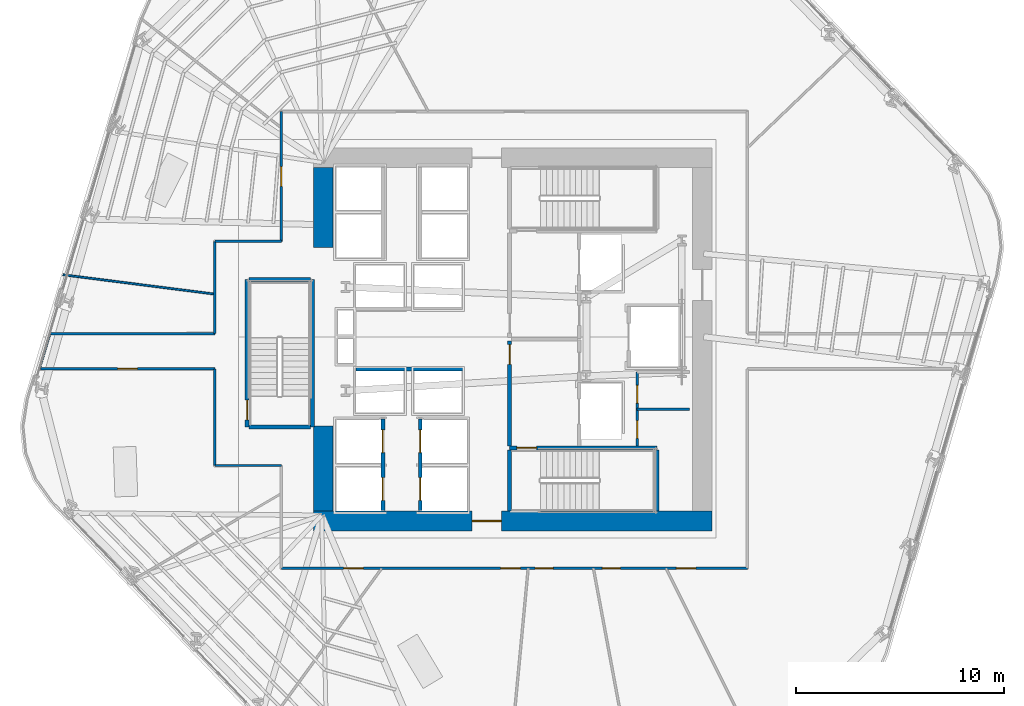
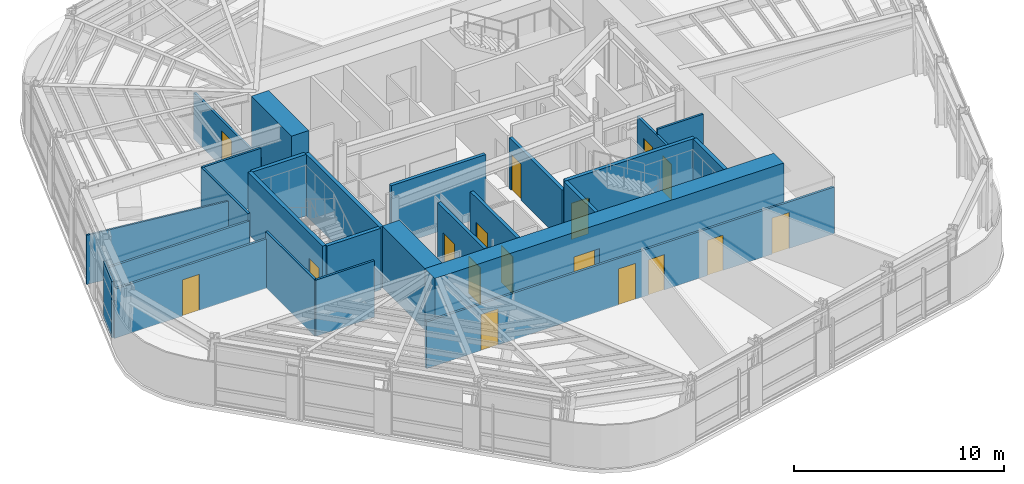
# One storey, part 9 of 17: 26 walls, 17 doors, 17 openings.
"""IFC4 building model written with IfcOpenShell, lengths in metres."""

from ifc_helpers import new_model, si_unit, direction, frame, frame_2d, origin, place, context, subcontext, project, spatial, rectangle, extrude, material, layer, layer_set, type_object, element, fill, save


model = new_model("IFC4")

# Units and contexts
model_context = context("Model", 3, precision=1e-05, world=origin(), true_north=direction((0.0, 1.0)))
body_context = subcontext(model_context, "Body", "Model", "MODEL_VIEW")
ifc_project = project(units=[si_unit("LENGTHUNIT", "METRE"), si_unit("AREAUNIT", "SQUARE_METRE"), si_unit("VOLUMEUNIT", "CUBIC_METRE"), si_unit("PLANEANGLEUNIT", "RADIAN"), si_unit("MASSUNIT", "GRAM", prefix="KILO")], contexts=[model_context])

# Site, building, storey
site_placement = place(None, origin())
site = spatial("IfcSite", under=ifc_project, at=site_placement, CompositionType="ELEMENT")
building_placement = place(site_placement, origin())
building = spatial("IfcBuilding", under=site, at=building_placement, Name="Valkerne Bourse Tower", CompositionType="ELEMENT")
storey_placement = place(building_placement, frame((0.0, 0.0, 82.0)))
storey = spatial("IfcBuildingStorey", under=building, at=storey_placement, Name="L20", CompositionType="ELEMENT", Elevation=82.0)

# Wall, opening, door
ifc_material_1 = material(Name="Concrete C70/85", Category="concrete")
ifc_layer_1 = layer(ifc_material_1, 0.949951171875)
ifc_layer_set_1 = layer_set([ifc_layer_1], Name="Concrete C70/85")
wall_type_1 = type_object("IfcWallType", Name="W-CORE-950", PredefinedType="SHEAR", material=ifc_layer_set_1)
wall_1_placement = place(storey_placement, frame((37.199951171875, 18.125, 0.0), z_axis=(0.0, 0.0, 1.0), x_axis=(1.0, 0.0, 0.0)))
wall_1 = element("IfcWall", 1, at=wall_1_placement, inside=storey, type_object=wall_type_1, Name="L20 Core Shear Wall SOUTH", PredefinedType="SHEAR", context=body_context, shape_type="SweptSolid", body=[
    extrude(rectangle(XDim=19.199951171875, YDim=0.949951171875, at=frame_2d((9.60009765625, 0.0))), origin(), (0.0, 0.0, 1.0), 3.580078125),
])
opening_1_placement = place(wall_1_placement, frame((7.64990234375, 0.0, 0.0)))
opening_1 = element("IfcOpeningElement", 2, at=opening_1_placement, cuts=wall_1, Name="Opening D-PL-1400", PredefinedType="OPENING", context=body_context, shape_type="SweptSolid", body=[
    extrude(rectangle(XDim=1.39990234375, YDim=2.14990234375, at=frame_2d((0.699951171875, 1.074951171875))), frame((0.0, 0.48486328125, 0.0), z_axis=(0.0, -1.0, 0.0), x_axis=(1.0, 0.0, 0.0)), (0.0, 0.0, 1.0), 0.969970703125),
])
ifc_material_2 = material(Name="Galvanised Painted Steel", Category="steel")
door_type_1 = type_object("IfcDoorType", Name="DR-PLT-1400", OperationType="DOUBLE_DOOR_SINGLE_SWING", PredefinedType="DOOR", material=ifc_material_2)
door_1_placement = place(opening_1_placement, origin())
door_1 = element("IfcDoor", 3, at=door_1_placement, inside=storey, type_object=door_type_1, Name="L20 South Passenger Lift Hall Fire Door", OperationType="DOUBLE_DOOR_SINGLE_SWING", OverallHeight=2.14990234375, OverallWidth=1.39990234375, PredefinedType="DOOR", context=body_context, shape_type="SweptSolid", body=[
    extrude(rectangle(XDim=1.39990234375, YDim=2.14990234375, at=frame_2d((0.699951171875, 1.074951171875))), frame((0.0, 0.02490234375, 0.0), z_axis=(0.0, -1.0, 0.0), x_axis=(1.0, 0.0, 0.0)), (0.0, 0.0, 1.0), 0.050048828125),
])
fill(opening_1, door_1)

# Walls
wall_2_placement = place(storey_placement, frame((37.675048828125, 18.60009765625, 0.0), z_axis=(0.0, 0.0, 1.0), x_axis=(0.0, 1.0, 0.0)))
element("IfcWall", 4, at=wall_2_placement, inside=storey, type_object=wall_type_1, Name="L20 Core Shear Wall WEST-S", PredefinedType="SHEAR", context=body_context, shape_type="SweptSolid", body=[
    extrude(rectangle(XDim=4.099853515625, YDim=0.949951171875, at=frame_2d((2.0498046875, 0.0))), origin(), (0.0, 0.0, 1.0), 3.580078125),
])
wall_3_placement = place(storey_placement, frame((37.675048828125, 31.300048828125, 0.0), z_axis=(0.0, 0.0, 1.0), x_axis=(0.0, 1.0, 0.0)))
element("IfcWall", 5, at=wall_3_placement, inside=storey, type_object=wall_type_1, Name="L20 Core Shear Wall WEST-N", PredefinedType="SHEAR", context=body_context, shape_type="SweptSolid", body=[
    extrude(rectangle(XDim=3.849853515625, YDim=0.949951171875, at=frame_2d((1.9248046875, 0.0))), origin(), (0.0, 0.0, 1.0), 3.580078125),
])
ifc_material_3 = material(Name="Gypsum Board Steel-Stud Partition", Category="steel")
ifc_layer_2 = layer(ifc_material_3, 0.117919921875)
ifc_layer_set_2 = layer_set([ifc_layer_2], Name="Gypsum Board Steel-Stud Partition")
wall_type_2 = type_object("IfcWallType", Name="W-CORR-140", PredefinedType="PARTITIONING", material=ifc_layer_set_2)
wall_4_placement = place(storey_placement, frame((52.800048828125, 23.510009765625, 0.0), z_axis=(0.0, 0.0, 1.0), x_axis=(1.0, 0.0, 0.0)))
element("IfcWall", 6, at=wall_4_placement, inside=storey, type_object=wall_type_2, Name="L20 Core SE Dual Divider", PredefinedType="PARTITIONING", context=body_context, shape_type="SweptSolid", body=[
    extrude(rectangle(XDim=2.52001953125, YDim=0.117919921875, at=frame_2d((1.260009765625, 0.0))), origin(), (0.0, 0.0, 1.0), 3.280029296875),
])

# Wall, openings, doors
wall_5_placement = place(storey_placement, frame((58.10009765625, 15.85009765625, 0.0), z_axis=(0.0, 0.0, 1.0), x_axis=(-1.0, 0.0, 0.0)))
wall_5 = element("IfcWall", 7, at=wall_5_placement, inside=storey, type_object=wall_type_2, Name="L20 Corridor Enclosure Wall", PredefinedType="PARTITIONING", context=body_context, shape_type="SweptSolid", body=[
    extrude(rectangle(XDim=22.4501953125, YDim=0.117919921875, at=frame_2d((11.22509765625, 0.0))), origin(), (0.0, 0.0, 1.0), 2.711669921875),
])
opening_2_placement = place(wall_5_placement, frame((6.114990234375, 0.0, 0.0)))
opening_2 = element("IfcOpeningElement", 8, at=opening_2_placement, cuts=wall_5, Name="Opening D-WC-900", PredefinedType="OPENING", context=body_context, shape_type="SweptSolid", body=[
    extrude(rectangle(XDim=0.860107421875, YDim=2.050048828125, at=frame_2d((0.43017578125, 1.02490234375))), frame((0.0, 0.06884765625, 0.0), z_axis=(0.0, -1.0, 0.0), x_axis=(1.0, 0.0, 0.0)), (0.0, 0.0, 1.0), 0.137939453125),
])
opening_3_placement = place(wall_5_placement, frame((9.35498046875, 0.0, 0.0)))
opening_3 = element("IfcOpeningElement", 9, at=opening_3_placement, cuts=wall_5, Name="Opening D-WC-900", PredefinedType="OPENING", context=body_context, shape_type="SweptSolid", body=[
    extrude(rectangle(XDim=0.860107421875, YDim=2.050048828125, at=frame_2d((0.43017578125, 1.02490234375))), frame((0.0, 0.06884765625, 0.0), z_axis=(0.0, -1.0, 0.0), x_axis=(1.0, 0.0, 0.0)), (0.0, 0.0, 1.0), 0.137939453125),
])
opening_4_placement = place(wall_5_placement, frame((18.489990234375, 0.0, 0.0)))
opening_4 = element("IfcOpeningElement", 10, at=opening_4_placement, cuts=wall_5, Name="Opening D-OF-950", PredefinedType="OPENING", context=body_context, shape_type="SweptSolid", body=[
    extrude(rectangle(XDim=0.949951171875, YDim=2.10009765625, at=frame_2d((0.47509765625, 1.050048828125))), frame((0.0, 0.06884765625, 0.0), z_axis=(0.0, -1.0, 0.0), x_axis=(1.0, 0.0, 0.0)), (0.0, 0.0, 1.0), 0.137939453125),
])
opening_5_placement = place(wall_5_placement, frame((10.929931640625, 0.0, 0.0)))
opening_5 = element("IfcOpeningElement", 11, at=opening_5_placement, cuts=wall_5, Name="Opening D-OF-950", PredefinedType="OPENING", context=body_context, shape_type="SweptSolid", body=[
    extrude(rectangle(XDim=0.949951171875, YDim=2.10009765625, at=frame_2d((0.47509765625, 1.050048828125))), frame((0.0, 0.06884765625, 0.0), z_axis=(0.0, -1.0, 0.0), x_axis=(1.0, 0.0, 0.0)), (0.0, 0.0, 1.0), 0.137939453125),
])
opening_6_placement = place(wall_5_placement, frame((2.469970703125, 0.0, 0.0)))
opening_6 = element("IfcOpeningElement", 12, at=opening_6_placement, cuts=wall_5, Name="Opening D-OF-950", PredefinedType="OPENING", context=body_context, shape_type="SweptSolid", body=[
    extrude(rectangle(XDim=0.949951171875, YDim=2.10009765625, at=frame_2d((0.47509765625, 1.050048828125))), frame((0.0, 0.06884765625, 0.0), z_axis=(0.0, -1.0, 0.0), x_axis=(1.0, 0.0, 0.0)), (0.0, 0.0, 1.0), 0.137939453125),
])
ifc_material_4 = material(Name="Architectural White Oak Timber", Category="wood")
door_type_2 = type_object("IfcDoorType", Name="DR-OFF-950", OperationType="NOTDEFINED", PredefinedType="DOOR", material=ifc_material_4)
door_2_placement = place(opening_4_placement, origin())
door_2 = element("IfcDoor", 13, at=door_2_placement, inside=storey, type_object=door_type_2, Name="L20 L20 Hospitality Catering Kitchen 3 Door", OperationType="SINGLE_SWING_RIGHT", OverallHeight=2.10009765625, OverallWidth=0.949951171875, PredefinedType="DOOR", context=body_context, shape_type="SweptSolid", body=[
    extrude(rectangle(XDim=0.949951171875, YDim=2.10009765625, at=frame_2d((0.47509765625, 1.050048828125))), frame((0.0, 0.02490234375, 0.0), z_axis=(0.0, -1.0, 0.0), x_axis=(1.0, 0.0, 0.0)), (0.0, 0.0, 1.0), 0.050048828125),
])
fill(opening_4, door_2)
door_3_placement = place(opening_5_placement, origin())
door_3 = element("IfcDoor", 14, at=door_3_placement, inside=storey, type_object=door_type_2, Name="L20 L20 Executive Economics Study Room 7 Door", OperationType="SINGLE_SWING_LEFT", OverallHeight=2.10009765625, OverallWidth=0.949951171875, PredefinedType="DOOR", context=body_context, shape_type="SweptSolid", body=[
    extrude(rectangle(XDim=0.949951171875, YDim=2.10009765625, at=frame_2d((0.47509765625, 1.050048828125))), frame((0.0, 0.02490234375, 0.0), z_axis=(0.0, -1.0, 0.0), x_axis=(1.0, 0.0, 0.0)), (0.0, 0.0, 1.0), 0.050048828125),
])
fill(opening_5, door_3)
door_4_placement = place(opening_6_placement, origin())
door_4 = element("IfcDoor", 15, at=door_4_placement, inside=storey, type_object=door_type_2, Name="L20 L20 Occupational Wellness Clinic 9 Door", OperationType="SINGLE_SWING_LEFT", OverallHeight=2.10009765625, OverallWidth=0.949951171875, PredefinedType="DOOR", context=body_context, shape_type="SweptSolid", body=[
    extrude(rectangle(XDim=0.949951171875, YDim=2.10009765625, at=frame_2d((0.47509765625, 1.050048828125))), frame((0.0, 0.02490234375, 0.0), z_axis=(0.0, -1.0, 0.0), x_axis=(1.0, 0.0, 0.0)), (0.0, 0.0, 1.0), 0.050048828125),
])
fill(opening_6, door_4)
door_type_3 = type_object("IfcDoorType", Name="DR-WC-900", OperationType="NOTDEFINED", PredefinedType="DOOR", material=ifc_material_4)
door_5_placement = place(opening_2_placement, origin())
door_5 = element("IfcDoor", 16, at=door_5_placement, inside=storey, type_object=door_type_3, Name="L20 L20 Men Bathroom WC 1 Door", OperationType="SINGLE_SWING_RIGHT", OverallHeight=2.050048828125, OverallWidth=0.860107421875, PredefinedType="DOOR", context=body_context, shape_type="SweptSolid", body=[
    extrude(rectangle(XDim=0.860107421875, YDim=2.050048828125, at=frame_2d((0.43017578125, 1.02490234375))), frame((0.0, 0.02490234375, 0.0), z_axis=(0.0, -1.0, 0.0), x_axis=(1.0, 0.0, 0.0)), (0.0, 0.0, 1.0), 0.050048828125),
])
fill(opening_2, door_5)
door_6_placement = place(opening_3_placement, origin())
door_6 = element("IfcDoor", 17, at=door_6_placement, inside=storey, type_object=door_type_3, Name="L20 L20 Women Restroom & Shower WC 2 Door", OperationType="SINGLE_SWING_RIGHT", OverallHeight=2.050048828125, OverallWidth=0.860107421875, PredefinedType="DOOR", context=body_context, shape_type="SweptSolid", body=[
    extrude(rectangle(XDim=0.860107421875, YDim=2.050048828125, at=frame_2d((0.43017578125, 1.02490234375))), frame((0.0, 0.02490234375, 0.0), z_axis=(0.0, -1.0, 0.0), x_axis=(1.0, 0.0, 0.0)), (0.0, 0.0, 1.0), 0.050048828125),
])
fill(opening_3, door_6)

# Walls
wall_6_placement = place(storey_placement, frame((35.64990234375, 20.800048828125, 0.0), z_axis=(0.0, 0.0, 1.0), x_axis=(-1.0, 0.0, 0.0)))
element("IfcWall", 18, at=wall_6_placement, inside=storey, type_object=wall_type_2, Name="L20 Corridor Enclosure Wall", PredefinedType="PARTITIONING", context=body_context, shape_type="SweptSolid", body=[
    extrude(rectangle(XDim=3.199951171875, YDim=0.117919921875, at=frame_2d((1.60009765625, 0.0))), origin(), (0.0, 0.0, 1.0), 3.280029296875),
])
wall_7_placement = place(storey_placement, frame((32.449951171875, 20.800048828125, 0.0), z_axis=(0.0, 0.0, 1.0), x_axis=(0.0, 1.0, 0.0)))
element("IfcWall", 19, at=wall_7_placement, inside=storey, type_object=wall_type_2, Name="L20 Corridor Enclosure Wall", PredefinedType="PARTITIONING", context=body_context, shape_type="SweptSolid", body=[
    extrude(rectangle(XDim=4.64990234375, YDim=0.117919921875, at=frame_2d((2.324951171875, 0.0))), origin(), (0.0, 0.0, 1.0), 3.280029296875),
])

# Wall, opening, door
wall_8_placement = place(storey_placement, frame((32.449951171875, 25.449951171875, 0.0), z_axis=(0.0, 0.0, 1.0), x_axis=(-1.0, 0.0, 0.0)))
wall_8 = element("IfcWall", 20, at=wall_8_placement, inside=storey, type_object=wall_type_2, Name="L20 Corridor Enclosure Wall", PredefinedType="PARTITIONING", context=body_context, shape_type="SweptSolid", body=[
    extrude(rectangle(XDim=8.41064453125, YDim=0.117919921875, at=frame_2d((4.205322265625, 0.0))), origin(), (0.0, 0.0, 1.0), 2.864013671875),
])
opening_7_placement = place(wall_8_placement, frame((3.730224609375, 0.0, 0.0)))
opening_7 = element("IfcOpeningElement", 21, at=opening_7_placement, cuts=wall_8, Name="Opening D-OF-950", PredefinedType="OPENING", context=body_context, shape_type="SweptSolid", body=[
    extrude(rectangle(XDim=0.949951171875, YDim=2.10009765625, at=frame_2d((0.47509765625, 1.050048828125))), frame((0.0, 0.06884765625, 0.0), z_axis=(0.0, -1.0, 0.0), x_axis=(1.0, 0.0, 0.0)), (0.0, 0.0, 1.0), 0.137939453125),
])
door_7_placement = place(opening_7_placement, origin())
door_7 = element("IfcDoor", 22, at=door_7_placement, inside=storey, type_object=door_type_2, Name="L20 L20 Exchange Security Control Room 6 Door", OperationType="SINGLE_SWING_LEFT", OverallHeight=2.10009765625, OverallWidth=0.949951171875, PredefinedType="DOOR", context=body_context, shape_type="SweptSolid", body=[
    extrude(rectangle(XDim=0.949951171875, YDim=2.10009765625, at=frame_2d((0.47509765625, 1.050048828125))), frame((0.0, 0.02490234375, 0.0), z_axis=(0.0, -1.0, 0.0), x_axis=(1.0, 0.0, 0.0)), (0.0, 0.0, 1.0), 0.050048828125),
])
fill(opening_7, door_7)

# Walls
wall_9_placement = place(storey_placement, frame((24.00732421875, 25.4931640625, 0.0), z_axis=(0.0, 0.0, 1.0), x_axis=(0.287114772589, 0.957896188196, 0.0)))
element("IfcWall", 23, at=wall_9_placement, inside=storey, type_object=wall_type_2, Name="L20 Corridor Enclosure Wall", PredefinedType="PARTITIONING", context=body_context, shape_type="SweptSolid", body=[
    extrude(rectangle(XDim=1.7294921875, YDim=0.117919921875, at=frame_2d((0.86474609375, 0.0))), origin(), (0.0, 0.0, 1.0), 3.280029296875),
])
wall_10_placement = place(storey_placement, frame((24.50390625, 27.14990234375, 0.0), z_axis=(0.0, 0.0, 1.0), x_axis=(1.0, 0.0, 0.0)))
element("IfcWall", 24, at=wall_10_placement, inside=storey, type_object=wall_type_2, Name="L20 Corridor Enclosure Wall", PredefinedType="PARTITIONING", context=body_context, shape_type="SweptSolid", body=[
    extrude(rectangle(XDim=7.946044921875, YDim=0.117919921875, at=frame_2d((3.97314453125, 0.0))), origin(), (0.0, 0.0, 1.0), 2.864013671875),
])
wall_11_placement = place(storey_placement, frame((32.449951171875, 27.14990234375, 0.0), z_axis=(0.0, 0.0, 1.0), x_axis=(0.0, 1.0, 0.0)))
element("IfcWall", 25, at=wall_11_placement, inside=storey, type_object=wall_type_2, Name="L20 Corridor Enclosure Wall", PredefinedType="PARTITIONING", context=body_context, shape_type="SweptSolid", body=[
    extrude(rectangle(XDim=4.4501953125, YDim=0.117919921875, at=frame_2d((2.22509765625, 0.0))), origin(), (0.0, 0.0, 1.0), 3.280029296875),
])
wall_12_placement = place(storey_placement, frame((32.449951171875, 31.60009765625, 0.0), z_axis=(0.0, 0.0, 1.0), x_axis=(1.0, 0.0, 0.0)))
element("IfcWall", 26, at=wall_12_placement, inside=storey, type_object=wall_type_2, Name="L20 Corridor Enclosure Wall", PredefinedType="PARTITIONING", context=body_context, shape_type="SweptSolid", body=[
    extrude(rectangle(XDim=3.199951171875, YDim=0.117919921875, at=frame_2d((1.60009765625, 0.0))), origin(), (0.0, 0.0, 1.0), 3.280029296875),
])

# Wall, opening, door
wall_13_placement = place(storey_placement, frame((35.64990234375, 31.60009765625, 0.0), z_axis=(0.0, 0.0, 1.0), x_axis=(0.0, 1.0, 0.0)))
wall_13 = element("IfcWall", 27, at=wall_13_placement, inside=storey, type_object=wall_type_2, Name="L20 Corridor Enclosure Wall", PredefinedType="PARTITIONING", context=body_context, shape_type="SweptSolid", body=[
    extrude(rectangle(XDim=6.25, YDim=0.117919921875, at=frame_2d((3.125, 0.0))), origin(), (0.0, 0.0, 1.0), 2.711669921875),
])
opening_8_placement = place(wall_13_placement, frame((2.64990234375, 0.0, 0.0)))
opening_8 = element("IfcOpeningElement", 28, at=opening_8_placement, cuts=wall_13, Name="Opening D-OF-950", PredefinedType="OPENING", context=body_context, shape_type="SweptSolid", body=[
    extrude(rectangle(XDim=0.949951171875, YDim=2.10009765625, at=frame_2d((0.47509765625, 1.050048828125))), frame((0.0, 0.06884765625, 0.0), z_axis=(0.0, -1.0, 0.0), x_axis=(1.0, 0.0, 0.0)), (0.0, 0.0, 1.0), 0.137939453125),
])
door_8_placement = place(opening_8_placement, origin())
door_8 = element("IfcDoor", 29, at=door_8_placement, inside=storey, type_object=door_type_2, Name="L20 L20 Exchange Security Control Room 5 Door", OperationType="SINGLE_SWING_LEFT", OverallHeight=2.10009765625, OverallWidth=0.949951171875, PredefinedType="DOOR", context=body_context, shape_type="SweptSolid", body=[
    extrude(rectangle(XDim=0.949951171875, YDim=2.10009765625, at=frame_2d((0.47509765625, 1.050048828125))), frame((0.0, 0.02490234375, 0.0), z_axis=(0.0, -1.0, 0.0), x_axis=(1.0, 0.0, 0.0)), (0.0, 0.0, 1.0), 0.050048828125),
])
fill(opening_8, door_8)

ifc_material_5 = material(Name="Gypsum Fire-Rated Shaftwall", Category="gypsum")
ifc_layer_3 = layer(ifc_material_5, 0.179931640625)
ifc_layer_set_3 = layer_set([ifc_layer_3], Name="Gypsum Fire-Rated Shaftwall")
wall_type_3 = type_object("IfcWallType", Name="W-FSAE-180", PredefinedType="PARTITIONING", material=ifc_layer_set_3)
wall_14_placement = place(storey_placement, frame((46.64990234375, 21.75, 0.0), z_axis=(0.0, 0.0, 1.0), x_axis=(0.0, 1.0, 0.0)))
wall_14 = element("IfcWall", 30, at=wall_14_placement, inside=storey, type_object=wall_type_3, Name="L20 FSAE-1 Lobby West Fire Wall", PredefinedType="PARTITIONING", context=body_context, shape_type="SweptSolid", body=[
    extrude(rectangle(XDim=5.050048828125, YDim=0.179931640625, at=frame_2d((2.52490234375, 0.0))), origin(), (0.0, 0.0, 1.0), 2.957763671875),
])
opening_9_placement = place(wall_14_placement, frame((3.919921875, 0.0, 0.0)))
opening_9 = element("IfcOpeningElement", 31, at=opening_9_placement, cuts=wall_14, Name="Opening D-FS-950", PredefinedType="OPENING", context=body_context, shape_type="SweptSolid", body=[
    extrude(rectangle(XDim=0.949951171875, YDim=2.10009765625, at=frame_2d((0.47509765625, 1.050048828125))), frame((0.0, 0.099853515625, 0.0), z_axis=(0.0, -1.0, 0.0), x_axis=(1.0, 0.0, 0.0)), (0.0, 0.0, 1.0), 0.199951171875),
])
door_type_4 = type_object("IfcDoorType", Name="DR-FSAE-950", OperationType="NOTDEFINED", PredefinedType="DOOR", material=ifc_material_2)
door_9_placement = place(opening_9_placement, origin())
door_9 = element("IfcDoor", 32, at=door_9_placement, inside=storey, type_object=door_type_4, Name="L20 FSAE-1 Hall Link Fire Door", OperationType="SINGLE_SWING_LEFT", OverallHeight=2.10009765625, OverallWidth=0.949951171875, PredefinedType="DOOR", context=body_context, shape_type="SweptSolid", body=[
    extrude(rectangle(XDim=0.949951171875, YDim=2.10009765625, at=frame_2d((0.47509765625, 1.050048828125))), frame((0.0, 0.02490234375, 0.0), z_axis=(0.0, -1.0, 0.0), x_axis=(1.0, 0.0, 0.0)), (0.0, 0.0, 1.0), 0.050048828125),
])
fill(opening_9, door_9)

# Wall, openings, doors
ifc_material_6 = material(Name="CMU Blockwork Masonry 200mm", Category="masonry")
ifc_layer_4 = layer(ifc_material_6, 0.179931640625)
ifc_layer_set_4 = layer_set([ifc_layer_4], Name="CMU Blockwork Masonry 200mm")
wall_type_4 = type_object("IfcWallType", Name="W-LFT-180", PredefinedType="SOLIDWALL", material=ifc_layer_set_4)
wall_15_placement = place(storey_placement, frame((40.550048828125, 18.6201171875, 0.0), z_axis=(0.0, 0.0, 1.0), x_axis=(0.0, 1.0, 0.0)))
wall_15 = element("IfcWall", 33, at=wall_15_placement, inside=storey, type_object=wall_type_4, Name="L20 Low-Zone West Cars Front Wall", PredefinedType="SOLIDWALL", context=body_context, shape_type="SweptSolid", body=[
    extrude(rectangle(XDim=4.429931640625, YDim=0.179931640625, at=frame_2d((2.21484375, 0.0))), origin(), (0.0, 0.0, 1.0), 3.580078125),
])
opening_10_placement = place(wall_15_placement, frame((0.5, 0.0, 0.0)))
opening_10 = element("IfcOpeningElement", 34, at=opening_10_placement, cuts=wall_15, Name="Opening LD-1100", PredefinedType="OPENING", context=body_context, shape_type="SweptSolid", body=[
    extrude(rectangle(XDim=1.10009765625, YDim=2.14990234375, at=frame_2d((0.550048828125, 1.074951171875))), frame((0.0, 0.099853515625, 0.0), z_axis=(0.0, -1.0, 0.0), x_axis=(1.0, 0.0, 0.0)), (0.0, 0.0, 1.0), 0.199951171875),
])
opening_11_placement = place(wall_15_placement, frame((2.800048828125, 0.0, 0.0)))
opening_11 = element("IfcOpeningElement", 35, at=opening_11_placement, cuts=wall_15, Name="Opening LD-1100", PredefinedType="OPENING", context=body_context, shape_type="SweptSolid", body=[
    extrude(rectangle(XDim=1.10009765625, YDim=2.14990234375, at=frame_2d((0.550048828125, 1.074951171875))), frame((0.0, 0.099853515625, 0.0), z_axis=(0.0, -1.0, 0.0), x_axis=(1.0, 0.0, 0.0)), (0.0, 0.0, 1.0), 0.199951171875),
])
ifc_material_7 = material(Name="Stainless Steel AISI 316", Category="steel")
door_type_5 = type_object("IfcDoorType", Name="DR-LIFT-1100", OperationType="DOUBLE_DOOR_SLIDING", PredefinedType="DOOR", material=ifc_material_7)
door_10_placement = place(opening_10_placement, origin())
door_10 = element("IfcDoor", 36, at=door_10_placement, inside=storey, type_object=door_type_5, Name="L20 Passenger Lift PL-L1 Sliding Landing Door", OperationType="DOUBLE_DOOR_SLIDING", OverallHeight=2.14990234375, OverallWidth=1.10009765625, PredefinedType="DOOR", context=body_context, shape_type="SweptSolid", body=[
    extrude(rectangle(XDim=1.10009765625, YDim=2.14990234375, at=frame_2d((0.550048828125, 1.074951171875))), frame((0.0, 0.02490234375, 0.0), z_axis=(0.0, -1.0, 0.0), x_axis=(1.0, 0.0, 0.0)), (0.0, 0.0, 1.0), 0.050048828125),
])
fill(opening_10, door_10)
door_11_placement = place(opening_11_placement, origin())
door_11 = element("IfcDoor", 37, at=door_11_placement, inside=storey, type_object=door_type_5, Name="L20 Passenger Lift PL-L2 Sliding Landing Door", OperationType="DOUBLE_DOOR_SLIDING", OverallHeight=2.14990234375, OverallWidth=1.10009765625, PredefinedType="DOOR", context=body_context, shape_type="SweptSolid", body=[
    extrude(rectangle(XDim=1.10009765625, YDim=2.14990234375, at=frame_2d((0.550048828125, 1.074951171875))), frame((0.0, 0.02490234375, 0.0), z_axis=(0.0, -1.0, 0.0), x_axis=(1.0, 0.0, 0.0)), (0.0, 0.0, 1.0), 0.050048828125),
])
fill(opening_11, door_11)

wall_16_placement = place(storey_placement, frame((42.35009765625, 18.6201171875, 0.0), z_axis=(0.0, 0.0, 1.0), x_axis=(0.0, 1.0, 0.0)))
wall_16 = element("IfcWall", 38, at=wall_16_placement, inside=storey, type_object=wall_type_4, Name="L20 Low-Zone East Cars Front Wall", PredefinedType="SOLIDWALL", context=body_context, shape_type="SweptSolid", body=[
    extrude(rectangle(XDim=4.429931640625, YDim=0.179931640625, at=frame_2d((2.21484375, 0.0))), origin(), (0.0, 0.0, 1.0), 3.580078125),
])
opening_12_placement = place(wall_16_placement, frame((0.5, 0.0, 0.0)))
opening_12 = element("IfcOpeningElement", 39, at=opening_12_placement, cuts=wall_16, Name="Opening LD-1100", PredefinedType="OPENING", context=body_context, shape_type="SweptSolid", body=[
    extrude(rectangle(XDim=1.10009765625, YDim=2.14990234375, at=frame_2d((0.550048828125, 1.074951171875))), frame((0.0, 0.099853515625, 0.0), z_axis=(0.0, -1.0, 0.0), x_axis=(1.0, 0.0, 0.0)), (0.0, 0.0, 1.0), 0.199951171875),
])
opening_13_placement = place(wall_16_placement, frame((2.800048828125, 0.0, 0.0)))
opening_13 = element("IfcOpeningElement", 40, at=opening_13_placement, cuts=wall_16, Name="Opening LD-1100", PredefinedType="OPENING", context=body_context, shape_type="SweptSolid", body=[
    extrude(rectangle(XDim=1.10009765625, YDim=2.14990234375, at=frame_2d((0.550048828125, 1.074951171875))), frame((0.0, 0.099853515625, 0.0), z_axis=(0.0, -1.0, 0.0), x_axis=(1.0, 0.0, 0.0)), (0.0, 0.0, 1.0), 0.199951171875),
])
door_12_placement = place(opening_12_placement, origin())
door_12 = element("IfcDoor", 41, at=door_12_placement, inside=storey, type_object=door_type_5, Name="L20 Passenger Lift PL-L3 Sliding Landing Door", OperationType="DOUBLE_DOOR_SLIDING", OverallHeight=2.14990234375, OverallWidth=1.10009765625, PredefinedType="DOOR", context=body_context, shape_type="SweptSolid", body=[
    extrude(rectangle(XDim=1.10009765625, YDim=2.14990234375, at=frame_2d((0.550048828125, 1.074951171875))), frame((0.0, 0.02490234375, 0.0), z_axis=(0.0, -1.0, 0.0), x_axis=(1.0, 0.0, 0.0)), (0.0, 0.0, 1.0), 0.050048828125),
])
fill(opening_12, door_12)
door_13_placement = place(opening_13_placement, origin())
door_13 = element("IfcDoor", 42, at=door_13_placement, inside=storey, type_object=door_type_5, Name="L20 Passenger Lift PL-L4 Sliding Landing Door", OperationType="DOUBLE_DOOR_SLIDING", OverallHeight=2.14990234375, OverallWidth=1.10009765625, PredefinedType="DOOR", context=body_context, shape_type="SweptSolid", body=[
    extrude(rectangle(XDim=1.10009765625, YDim=2.14990234375, at=frame_2d((0.550048828125, 1.074951171875))), frame((0.0, 0.02490234375, 0.0), z_axis=(0.0, -1.0, 0.0), x_axis=(1.0, 0.0, 0.0)), (0.0, 0.0, 1.0), 0.050048828125),
])
fill(opening_13, door_13)

# Walls
wall_17_placement = place(storey_placement, frame((39.25, 25.449951171875, 0.0), z_axis=(0.0, 0.0, 1.0), x_axis=(1.0, 0.0, 0.0)))
element("IfcWall", 43, at=wall_17_placement, inside=storey, type_object=wall_type_4, Name="L20 High-Zone South Cars Front Wall", PredefinedType="SOLIDWALL", context=body_context, shape_type="SweptSolid", body=[
    extrude(rectangle(XDim=5.199951171875, YDim=0.179931640625, at=frame_2d((2.60009765625, 0.0))), origin(), (0.0, 0.0, 1.0), 3.580078125),
])
ifc_layer_5 = layer(ifc_material_3, 0.092041015625)
ifc_layer_set_5 = layer_set([ifc_layer_5], Name="Gypsum Board Steel-Stud Partition")
wall_type_5 = type_object("IfcWallType", Name="W-PART-115", PredefinedType="PARTITIONING", material=ifc_layer_set_5)
wall_18_placement = place(storey_placement, frame((32.445068359375, 29.056640625, 0.0), z_axis=(0.0, 0.0, 1.0), x_axis=(-0.99199293168, 0.12629340243, 0.0)))
element("IfcWall", 44, at=wall_18_placement, inside=storey, type_object=wall_type_5, Name="L20 Suite Partition P07", PredefinedType="PARTITIONING", context=body_context, shape_type="SweptSolid", body=[
    extrude(rectangle(XDim=7.369140625, YDim=0.092041015625, at=frame_2d((3.6845703125, 0.0))), origin(), (0.0, 0.0, 1.0), 2.864013671875),
])

# Wall, opening, door
ifc_material_8 = material(Name="Concrete C40/50", Category="concrete")
ifc_layer_6 = layer(ifc_material_8, 0.199951171875)
ifc_layer_set_6 = layer_set([ifc_layer_6], Name="Concrete C40/50")
wall_type_6 = type_object("IfcWallType", Name="W-SHF-200", PredefinedType="SHEAR", material=ifc_layer_set_6)
wall_19_placement = place(storey_placement, frame((46.64990234375, 21.64990234375, 0.0), z_axis=(0.0, 0.0, 1.0), x_axis=(1.0, 0.0, 0.0)))
wall_19 = element("IfcWall", 45, at=wall_19_placement, inside=storey, type_object=wall_type_6, Name="L20 Exit Stair ST-1 Structural Shaft Wall North", PredefinedType="SHEAR", context=body_context, shape_type="SweptSolid", body=[
    extrude(rectangle(XDim=7.10009765625, YDim=0.199951171875, at=frame_2d((3.550048828125, 0.0))), origin(), (0.0, 0.0, 1.0), 3.580078125),
])
opening_14_placement = place(wall_19_placement, frame((0.35009765625, 0.0, 0.0)))
opening_14 = element("IfcOpeningElement", 46, at=opening_14_placement, cuts=wall_19, Name="Opening D-ST-950", PredefinedType="OPENING", context=body_context, shape_type="SweptSolid", body=[
    extrude(rectangle(XDim=0.949951171875, YDim=2.10009765625, at=frame_2d((0.47509765625, 1.050048828125))), frame((0.0, 0.10986328125, 0.0), z_axis=(0.0, -1.0, 0.0), x_axis=(1.0, 0.0, 0.0)), (0.0, 0.0, 1.0), 0.219970703125),
])
door_type_6 = type_object("IfcDoorType", Name="DR-STAIR-950", OperationType="NOTDEFINED", PredefinedType="DOOR", material=ifc_material_2)
door_14_placement = place(opening_14_placement, origin())
door_14 = element("IfcDoor", 47, at=door_14_placement, inside=storey, type_object=door_type_6, Name="L20 Exit Stair ST-1 Door", OperationType="SINGLE_SWING_LEFT", OverallHeight=2.10009765625, OverallWidth=0.949951171875, PredefinedType="DOOR", context=body_context, shape_type="SweptSolid", body=[
    extrude(rectangle(XDim=0.949951171875, YDim=2.10009765625, at=frame_2d((0.47509765625, 1.050048828125))), frame((0.0, 0.02490234375, 0.0), z_axis=(0.0, -1.0, 0.0), x_axis=(1.0, 0.0, 0.0)), (0.0, 0.0, 1.0), 0.050048828125),
])
fill(opening_14, door_14)

# Walls
for number, where, z_axis, x_axis, name in (
    (48, (46.64990234375, 18.60009765625, 0.0), (0.0, 0.0, 1.0), (0.0, 1.0, 0.0), "L20 Exit Stair ST-1 Structural Shaft Wall West"),
    (49, (53.75, 18.60009765625, 0.0), (0.0, 0.0, 1.0), (0.0, 1.0, 0.0), "L20 Exit Stair ST-1 Structural Shaft Wall East"),
):
    element("IfcWall", number, at=place(storey_placement, frame(where, z_axis=z_axis, x_axis=x_axis)), inside=storey, type_object=wall_type_6, Name=name, PredefinedType="SHEAR", context=body_context, shape_type="SweptSolid", body=[
        extrude(rectangle(XDim=2.949951171875, YDim=0.199951171875, at=frame_2d((1.47509765625, 0.0))), origin(), (0.0, 0.0, 1.0), 3.580078125),
    ])

# Wall, opening, door
wall_20_placement = place(storey_placement, frame((34.0, 22.64990234375, 0.0), z_axis=(0.0, 0.0, 1.0), x_axis=(0.0, 1.0, 0.0)))
wall_20 = element("IfcWall", 50, at=wall_20_placement, inside=storey, type_object=wall_type_6, Name="L20 Exit Stair ST-3 Structural Shaft Wall West", PredefinedType="SHEAR", context=body_context, shape_type="SweptSolid", body=[
    extrude(rectangle(XDim=7.10009765625, YDim=0.199951171875, at=frame_2d((3.550048828125, 0.0))), origin(), (0.0, 0.0, 1.0), 3.580078125),
])
opening_15_placement = place(wall_20_placement, frame((0.35009765625, 0.0, 0.0)))
opening_15 = element("IfcOpeningElement", 51, at=opening_15_placement, cuts=wall_20, Name="Opening D-ST-950", PredefinedType="OPENING", context=body_context, shape_type="SweptSolid", body=[
    extrude(rectangle(XDim=0.949951171875, YDim=2.10009765625, at=frame_2d((0.47509765625, 1.050048828125))), frame((0.0, 0.10986328125, 0.0), z_axis=(0.0, -1.0, 0.0), x_axis=(1.0, 0.0, 0.0)), (0.0, 0.0, 1.0), 0.219970703125),
])
door_15_placement = place(opening_15_placement, origin())
door_15 = element("IfcDoor", 52, at=door_15_placement, inside=storey, type_object=door_type_6, Name="L20 Exit Stair ST-3 Door", OperationType="SINGLE_SWING_LEFT", OverallHeight=2.10009765625, OverallWidth=0.949951171875, PredefinedType="DOOR", context=body_context, shape_type="SweptSolid", body=[
    extrude(rectangle(XDim=0.949951171875, YDim=2.10009765625, at=frame_2d((0.47509765625, 1.050048828125))), frame((0.0, 0.02490234375, 0.0), z_axis=(0.0, -1.0, 0.0), x_axis=(1.0, 0.0, 0.0)), (0.0, 0.0, 1.0), 0.050048828125),
])
fill(opening_15, door_15)

# Walls
for number, where, z_axis, x_axis, name in (
    (53, (34.10009765625, 22.64990234375, 0.0), (0.0, 0.0, 1.0), (1.0, 0.0, 0.0), "L20 Exit Stair ST-3 Structural Shaft Wall South"),
    (54, (34.10009765625, 29.75, 0.0), (0.0, 0.0, 1.0), (1.0, 0.0, 0.0), "L20 Exit Stair ST-3 Structural Shaft Wall North"),
):
    element("IfcWall", number, at=place(storey_placement, frame(where, z_axis=z_axis, x_axis=x_axis)), inside=storey, type_object=wall_type_6, Name=name, PredefinedType="SHEAR", context=body_context, shape_type="SweptSolid", body=[
        extrude(rectangle(XDim=2.949951171875, YDim=0.199951171875, at=frame_2d((1.47509765625, 0.0))), origin(), (0.0, 0.0, 1.0), 3.580078125),
    ])
wall_21_placement = place(storey_placement, frame((37.14990234375, 22.64990234375, 0.0), z_axis=(0.0, 0.0, 1.0), x_axis=(0.0, 1.0, 0.0)))
element("IfcWall", 55, at=wall_21_placement, inside=storey, type_object=wall_type_6, Name="L20 Exit Stair ST-3 Structural Shaft Wall East", PredefinedType="SHEAR", context=body_context, shape_type="SweptSolid", body=[
    extrude(rectangle(XDim=7.10009765625, YDim=0.199951171875, at=frame_2d((3.550048828125, 0.0))), origin(), (0.0, 0.0, 1.0), 3.580078125),
])

# Wall, openings, doors
ifc_material_9 = material(Name="Moisture-Resistant Gypsum Partition", Category="gypsum")
ifc_layer_7 = layer(ifc_material_9, 0.139892578125)
ifc_layer_set_7 = layer_set([ifc_layer_7], Name="Moisture-Resistant Gypsum Partition")
wall_type_7 = type_object("IfcWallType", Name="W-WET-140", PredefinedType="PARTITIONING", material=ifc_layer_set_7)
wall_22_placement = place(storey_placement, frame((52.800048828125, 21.75, 0.0), z_axis=(0.0, 0.0, 1.0), x_axis=(0.0, 1.0, 0.0)))
wall_22 = element("IfcWall", 56, at=wall_22_placement, inside=storey, type_object=wall_type_7, Name="L20 Core SE Dual West Wall", PredefinedType="PARTITIONING", context=body_context, shape_type="SweptSolid", body=[
    extrude(rectangle(XDim=3.550048828125, YDim=0.139892578125, at=frame_2d((1.77490234375, 0.0))), origin(), (0.0, 0.0, 1.0), 2.957763671875),
])
opening_16_placement = place(wall_22_placement, frame((0.35009765625, 0.0, 0.0)))
opening_16 = element("IfcOpeningElement", 57, at=opening_16_placement, cuts=wall_22, Name="Opening D-WC-900", PredefinedType="OPENING", context=body_context, shape_type="SweptSolid", body=[
    extrude(rectangle(XDim=0.860107421875, YDim=2.050048828125, at=frame_2d((0.43017578125, 1.02490234375))), frame((0.0, 0.079833984375, 0.0), z_axis=(0.0, -1.0, 0.0), x_axis=(1.0, 0.0, 0.0)), (0.0, 0.0, 1.0), 0.159912109375),
])
opening_17_placement = place(wall_22_placement, frame((2.050048828125, 0.0, 0.0)))
opening_17 = element("IfcOpeningElement", 58, at=opening_17_placement, cuts=wall_22, Name="Opening D-WC-900", PredefinedType="OPENING", context=body_context, shape_type="SweptSolid", body=[
    extrude(rectangle(XDim=0.860107421875, YDim=2.050048828125, at=frame_2d((0.43017578125, 1.02490234375))), frame((0.0, 0.079833984375, 0.0), z_axis=(0.0, -1.0, 0.0), x_axis=(1.0, 0.0, 0.0)), (0.0, 0.0, 1.0), 0.159912109375),
])
door_16_placement = place(opening_16_placement, origin())
door_16 = element("IfcDoor", 59, at=door_16_placement, inside=storey, type_object=door_type_3, Name="L20 Linen Store Door", OperationType="SINGLE_SWING_RIGHT", OverallHeight=2.050048828125, OverallWidth=0.860107421875, PredefinedType="DOOR", context=body_context, shape_type="SweptSolid", body=[
    extrude(rectangle(XDim=0.860107421875, YDim=2.050048828125, at=frame_2d((0.43017578125, 1.02490234375))), frame((0.0, 0.02490234375, 0.0), z_axis=(0.0, -1.0, 0.0), x_axis=(1.0, 0.0, 0.0)), (0.0, 0.0, 1.0), 0.050048828125),
])
fill(opening_16, door_16)
door_17_placement = place(opening_17_placement, origin())
door_17 = element("IfcDoor", 60, at=door_17_placement, inside=storey, type_object=door_type_3, Name="L20 Espresso Kitchen Door", OperationType="SINGLE_SWING_RIGHT", OverallHeight=2.050048828125, OverallWidth=0.860107421875, PredefinedType="DOOR", context=body_context, shape_type="SweptSolid", body=[
    extrude(rectangle(XDim=0.860107421875, YDim=2.050048828125, at=frame_2d((0.43017578125, 1.02490234375))), frame((0.0, 0.02490234375, 0.0), z_axis=(0.0, -1.0, 0.0), x_axis=(1.0, 0.0, 0.0)), (0.0, 0.0, 1.0), 0.050048828125),
])
fill(opening_17, door_17)

save(model, "model.ifc")
